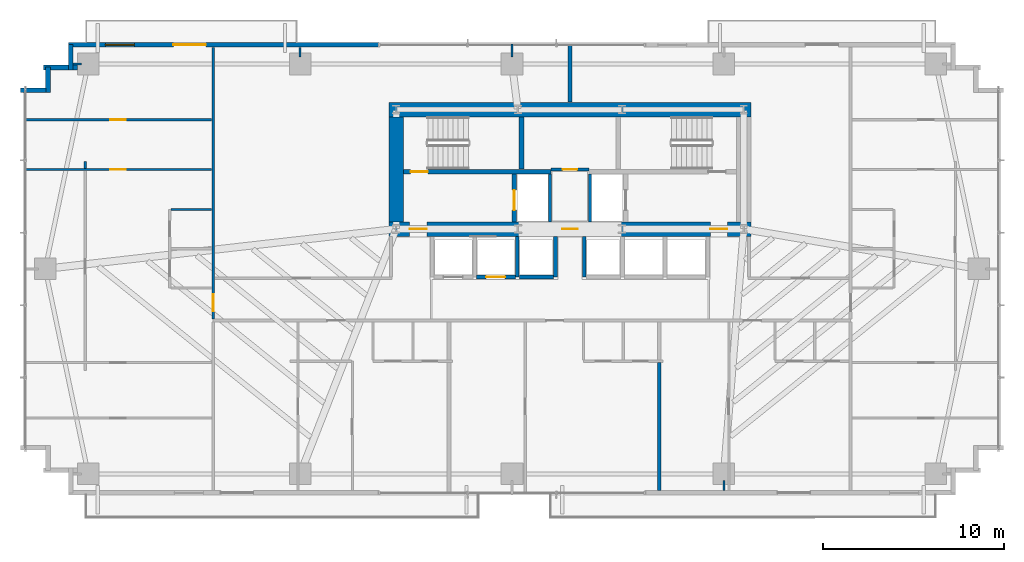
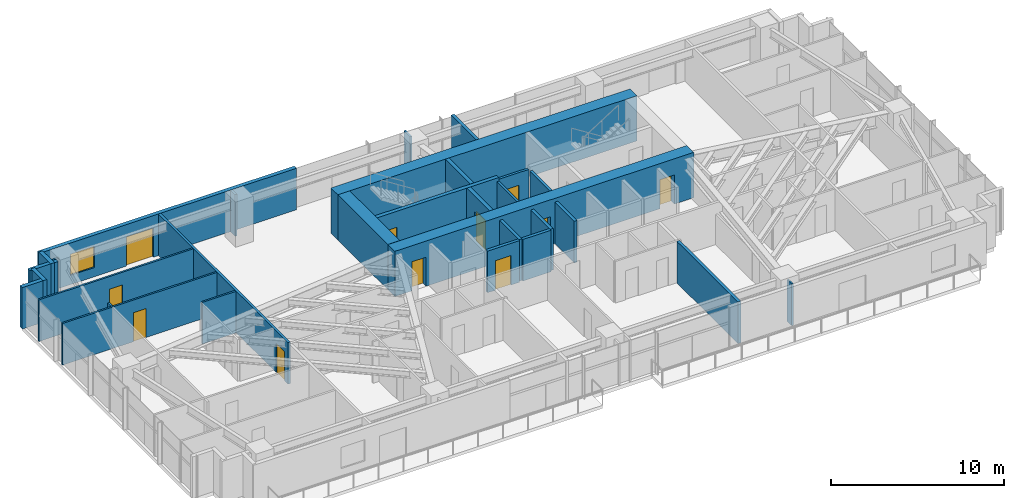
# One storey, part 20 of 25: 30 walls, 11 doors, 1 window, 12 openings.
"""IFC4 building model written with IfcOpenShell, lengths in metres."""

from ifc_helpers import new_model, si_unit, direction, frame, frame_2d, origin, place, context, subcontext, project, spatial, rectangle, extrude, source, transform, mapped, material, layer, layer_set, type_object, type_shapes, element, fill, save


model = new_model("IFC4")

# Units and contexts
model_context = context("Model", 3, precision=1e-05, world=origin(), true_north=direction((0.0, 1.0)))
body_context = subcontext(model_context, "Body", "Model", "MODEL_VIEW")
ifc_project = project(units=[si_unit("LENGTHUNIT", "METRE"), si_unit("AREAUNIT", "SQUARE_METRE"), si_unit("VOLUMEUNIT", "CUBIC_METRE"), si_unit("PLANEANGLEUNIT", "RADIAN"), si_unit("MASSUNIT", "GRAM", prefix="KILO")], contexts=[model_context])

# Site, building, storey
site_placement = place(None, origin())
site = spatial("IfcSite", under=ifc_project, at=site_placement, CompositionType="ELEMENT")
building_placement = place(site_placement, origin())
building = spatial("IfcBuilding", under=site, at=building_placement, Name="Astriad Promenade Condominiums", CompositionType="ELEMENT")
storey_placement = place(building_placement, frame((0.0, 0.0, 51.800048828125)))
storey = spatial("IfcBuildingStorey", under=building, at=storey_placement, Name="L14", CompositionType="ELEMENT", Elevation=51.800048828125)

# Wall, openings, doors
ifc_material_1 = material(Name="Concrete C80/95", Category="concrete")
ifc_layer_1 = layer(ifc_material_1, 0.800048828125)
ifc_layer_set_1 = layer_set([ifc_layer_1], Name="Concrete C80/95")
wall_type_1 = type_object("IfcWallType", Name="CW-SHEAR-800", PredefinedType="SHEAR", material=ifc_layer_set_1)
wall_1_placement = place(storey_placement, frame((26.0, 17.39990234375, 0.0), z_axis=(0.0, 0.0, 1.0), x_axis=(1.0, 0.0, 0.0)))
wall_1 = element("IfcWall", 1, at=wall_1_placement, inside=storey, type_object=wall_type_1, Name="CW-CORE-S-L14", PredefinedType="SHEAR", context=body_context, shape_type="SweptSolid", body=[
    extrude(rectangle(XDim=20.0, YDim=0.800048828125, at=frame_2d((10.0, 0.0))), origin(), (0.0, 0.0, 1.0), 3.199951171875),
])
opening_1_placement = place(wall_1_placement, frame((1.14990234375, 0.0, 0.0)))
opening_1 = element("IfcOpeningElement", 2, at=opening_1_placement, cuts=wall_1, Name="Opening FD90-ST-095", PredefinedType="OPENING", context=body_context, shape_type="SweptSolid", body=[
    extrude(rectangle(XDim=0.949951171875, YDim=2.06005859375, at=frame_2d((0.47509765625, 1.030029296875))), frame((0.0, 0.409912109375, 0.0), z_axis=(0.0, -1.0, 0.0), x_axis=(1.0, 0.0, 0.0)), (0.0, 0.0, 1.0), 0.820068359375),
])
opening_2_placement = place(wall_1_placement, frame((9.580078125, 0.0, 0.0)))
opening_2 = element("IfcOpeningElement", 3, at=opening_2_placement, cuts=wall_1, Name="Opening FD60-ULOW-085", PredefinedType="OPENING", context=body_context, shape_type="SweptSolid", body=[
    extrude(rectangle(XDim=0.85009765625, YDim=2.0, at=frame_2d((0.425048828125, 1.0))), frame((0.0, 0.409912109375, 0.0), z_axis=(0.0, -1.0, 0.0), x_axis=(1.0, 0.0, 0.0)), (0.0, 0.0, 1.0), 0.820068359375),
])
opening_3_placement = place(wall_1_placement, frame((17.75, 0.0, 0.0)))
opening_3 = element("IfcOpeningElement", 4, at=opening_3_placement, cuts=wall_1, Name="Opening FD90-ST-095", PredefinedType="OPENING", context=body_context, shape_type="SweptSolid", body=[
    extrude(rectangle(XDim=0.949951171875, YDim=2.06005859375, at=frame_2d((0.47509765625, 1.030029296875))), frame((0.0, 0.409912109375, 0.0), z_axis=(0.0, -1.0, 0.0), x_axis=(1.0, 0.0, 0.0)), (0.0, 0.0, 1.0), 0.820068359375),
])
ifc_material_2 = material(Name="Fire-Rated Hollow Metal Stair Door")
door_type_1 = type_object("IfcDoorType", Name="FD90-ST-095", OperationType="NOTDEFINED", PredefinedType="DOOR", material=ifc_material_2)
shared_shape_1 = source(origin(), body_context, "Body", "SweptSolid", [
    extrude(rectangle(XDim=0.949951171875, YDim=2.06005859375, at=frame_2d((0.47509765625, 1.030029296875))), frame((0.0, 0.02490234375, 0.0), z_axis=(0.0, -1.0, 0.0), x_axis=(1.0, 0.0, 0.0)), (0.0, 0.0, 1.0), 0.050048828125),
])
type_shapes(door_type_1, [shared_shape_1])
door_1_placement = place(opening_1_placement, origin())
door_1 = element("IfcDoor", 5, at=door_1_placement, inside=storey, type_object=door_type_1, Name="D-FFW-L14", OperationType="SINGLE_SWING_LEFT", OverallHeight=2.06005859375, OverallWidth=0.949951171875, PredefinedType="DOOR", context=body_context, shape_type="MappedRepresentation", body=[
    mapped(shared_shape_1, transform((0.0, 0.0, 0.0), scale=1.0)),
])
fill(opening_1, door_1)
door_2_placement = place(opening_3_placement, origin())
door_2 = element("IfcDoor", 6, at=door_2_placement, inside=storey, type_object=door_type_1, Name="D-FFE-L14", OperationType="SINGLE_SWING_RIGHT", OverallHeight=2.06005859375, OverallWidth=0.949951171875, PredefinedType="DOOR", context=body_context, shape_type="MappedRepresentation", body=[
    mapped(shared_shape_1, transform((0.0, 0.0, 0.0), scale=1.0)),
])
fill(opening_3, door_2)
ifc_material_3 = material(Name="Solid-Core Low-Headroom Fire Door")
door_type_2 = type_object("IfcDoorType", Name="FD60-ULOW-085", OperationType="NOTDEFINED", PredefinedType="DOOR", material=ifc_material_3)
shared_shape_2 = source(origin(), body_context, "Body", "SweptSolid", [
    extrude(rectangle(XDim=0.85009765625, YDim=2.0, at=frame_2d((0.425048828125, 1.0))), frame((0.0, 0.02490234375, 0.0), z_axis=(0.0, -1.0, 0.0), x_axis=(1.0, 0.0, 0.0)), (0.0, 0.0, 1.0), 0.050048828125),
])
type_shapes(door_type_2, [shared_shape_2])
door_3_placement = place(opening_2_placement, origin())
door_3 = element("IfcDoor", 7, at=door_3_placement, inside=storey, type_object=door_type_2, Name="D-CSL-L14", OperationType="SINGLE_SWING_RIGHT", OverallHeight=2.0, OverallWidth=0.85009765625, PredefinedType="DOOR", context=body_context, shape_type="MappedRepresentation", body=[
    mapped(shared_shape_2, transform((0.0, 0.0, 0.0), scale=1.0)),
])
fill(opening_2, door_3)

# Walls
wall_2_placement = place(storey_placement, frame((26.0, 24.0, 0.0), z_axis=(0.0, 0.0, 1.0), x_axis=(1.0, 0.0, 0.0)))
element("IfcWall", 8, at=wall_2_placement, inside=storey, type_object=wall_type_1, Name="CW-CORE-N-L14", PredefinedType="SHEAR", context=body_context, shape_type="SweptSolid", body=[
    extrude(rectangle(XDim=20.0, YDim=0.800048828125, at=frame_2d((10.0, 0.0))), origin(), (0.0, 0.0, 1.0), 3.199951171875),
])
wall_3_placement = place(storey_placement, frame((26.39990234375, 17.802001953125, 0.0), z_axis=(0.0, 0.0, 1.0), x_axis=(0.0, 1.0, 0.0)))
element("IfcWall", 9, at=wall_3_placement, inside=storey, type_object=wall_type_1, Name="CW-CORE-W-L14", PredefinedType="SHEAR", context=body_context, shape_type="SweptSolid", body=[
    extrude(rectangle(XDim=5.7958984375, YDim=0.800048828125, at=frame_2d((2.89794921875, 0.0))), origin(), (0.0, 0.0, 1.0), 3.199951171875),
])

# Wall, opening, door
ifc_material_4 = material(Name="Concrete C50/60", Category="concrete")
ifc_layer_2 = layer(ifc_material_4, 0.25)
ifc_layer_set_2 = layer_set([ifc_layer_2], Name="Concrete C50/60")
wall_type_2 = type_object("IfcWallType", Name="WALL-CORE-INT-250", PredefinedType="SOLIDWALL", material=ifc_layer_set_2)
wall_4_placement = place(storey_placement, frame((26.802001953125, 20.574951171875, 0.0), z_axis=(0.0, 0.0, 1.0), x_axis=(1.0, 0.0, 0.0)))
wall_4 = element("IfcWall", 10, at=wall_4_placement, inside=storey, type_object=wall_type_2, Name="CW-INT-H1-L14", PredefinedType="SOLIDWALL", context=body_context, shape_type="SweptSolid", body=[
    extrude(rectangle(XDim=8.14794921875, YDim=0.25, at=frame_2d((4.073974609375, 0.0))), origin(), (0.0, 0.0, 1.0), 3.199951171875),
])
opening_4_placement = place(wall_4_placement, frame((0.39794921875, 0.0, 0.0)))
opening_4 = element("IfcOpeningElement", 11, at=opening_4_placement, cuts=wall_4, Name="Opening FD90-ST-095", PredefinedType="OPENING", context=body_context, shape_type="SweptSolid", body=[
    extrude(rectangle(XDim=0.949951171875, YDim=2.06005859375, at=frame_2d((0.47509765625, 1.030029296875))), frame((0.0, 0.135009765625, 0.0), z_axis=(0.0, -1.0, 0.0), x_axis=(1.0, 0.0, 0.0)), (0.0, 0.0, 1.0), 0.27001953125),
])
door_4_placement = place(opening_4_placement, origin())
door_4 = element("IfcDoor", 12, at=door_4_placement, inside=storey, type_object=door_type_1, Name="D-ST1-L14", OperationType="SINGLE_SWING_LEFT", OverallHeight=2.06005859375, OverallWidth=0.949951171875, PredefinedType="DOOR", context=body_context, shape_type="MappedRepresentation", body=[
    mapped(shared_shape_1, transform((0.0, 0.0, 0.0), scale=1.0)),
])
fill(opening_4, door_4)

# Wall
wall_5_placement = place(storey_placement, frame((33.324951171875, 20.701904296875, 0.0), z_axis=(0.0, 0.0, 1.0), x_axis=(0.0, 1.0, 0.0)))
element("IfcWall", 13, at=wall_5_placement, inside=storey, type_object=wall_type_2, Name="CW-ST1-E-L14", PredefinedType="SOLIDWALL", context=body_context, shape_type="SweptSolid", body=[
    extrude(rectangle(XDim=2.89599609375, YDim=0.25, at=frame_2d((1.447998046875, 0.0))), origin(), (0.0, 0.0, 1.0), 3.199951171875),
])

# Wall, opening, door
wall_6_placement = place(storey_placement, frame((32.925048828125, 17.802001953125, 0.0), z_axis=(0.0, 0.0, 1.0), x_axis=(0.0, 1.0, 0.0)))
wall_6 = element("IfcWall", 14, at=wall_6_placement, inside=storey, type_object=wall_type_2, Name="CW-FFL1-W-L14", PredefinedType="SOLIDWALL", context=body_context, shape_type="SweptSolid", body=[
    extrude(rectangle(XDim=2.64599609375, YDim=0.25, at=frame_2d((1.322998046875, 0.0))), origin(), (0.0, 0.0, 1.0), 3.199951171875),
])
opening_5_placement = place(wall_6_placement, frame((0.64794921875, 0.0, 0.0)))
opening_5 = element("IfcOpeningElement", 15, at=opening_5_placement, cuts=wall_6, Name="Opening LD-FFL-1122", PredefinedType="OPENING", context=body_context, shape_type="SweptSolid", body=[
    extrude(rectangle(XDim=1.10009765625, YDim=2.080078125, at=frame_2d((0.550048828125, 1.0400390625))), frame((0.0, 0.135009765625, 0.0), z_axis=(0.0, -1.0, 0.0), x_axis=(1.0, 0.0, 0.0)), (0.0, 0.0, 1.0), 0.27001953125),
])
ifc_material_5 = material(Name="Brushed Stainless Steel Fire Elevator Landing Door", Category="steel")
door_type_3 = type_object("IfcDoorType", Name="LD-FFL-1122", OperationType="NOTDEFINED", PredefinedType="DOOR", material=ifc_material_5)
shared_shape_3 = source(origin(), body_context, "Body", "SweptSolid", [
    extrude(rectangle(XDim=1.10009765625, YDim=2.080078125, at=frame_2d((0.550048828125, 1.0400390625))), frame((0.0, 0.02490234375, 0.0), z_axis=(0.0, -1.0, 0.0), x_axis=(1.0, 0.0, 0.0)), (0.0, 0.0, 1.0), 0.050048828125),
])
type_shapes(door_type_3, [shared_shape_3])
door_5_placement = place(opening_5_placement, origin())
door_5 = element("IfcDoor", 16, at=door_5_placement, inside=storey, type_object=door_type_3, Name="Elevator Landing Door FFL-1 (L14)", OperationType="SLIDING_TO_LEFT", OverallHeight=2.080078125, OverallWidth=1.10009765625, PredefinedType="DOOR", context=body_context, shape_type="MappedRepresentation", body=[
    mapped(shared_shape_3, transform((0.0, 0.0, 0.0), scale=1.0)),
])
fill(opening_5, door_5)

# Walls
ifc_material_6 = material(Name="Fire-Rated Gypsum Partition")
ifc_layer_3 = layer(ifc_material_6, 0.159912109375)
ifc_layer_set_3 = layer_set([ifc_layer_3], Name="Fire-Rated Gypsum Partition")
wall_type_3 = type_object("IfcWallType", Name="WALL-CORR-160", PredefinedType="PARTITIONING", material=ifc_layer_set_3)
for number, where, z_axis, x_axis, name in (
    (17, (34.89990234375, 17.802001953125, 0.0), (0.0, 0.0, 1.0), (0.0, 1.0, 0.0), "CW-FFL1-E-L14"),
    (18, (37.10009765625, 17.802001953125, 0.0), (0.0, 0.0, 1.0), (0.0, 1.0, 0.0), "CW-FFL2-W-L14"),
):
    element("IfcWall", number, at=place(storey_placement, frame(where, z_axis=z_axis, x_axis=x_axis)), inside=storey, type_object=wall_type_3, Name=name, PredefinedType="PARTITIONING", context=body_context, shape_type="SweptSolid", body=[
        extrude(rectangle(XDim=2.64599609375, YDim=0.159912109375, at=frame_2d((1.322998046875, 0.0))), origin(), (0.0, 0.0, 1.0), 2.93994140625),
    ])

# Wall, opening, door
wall_7_placement = place(storey_placement, frame((34.949951171875, 20.68994140625, 0.0), z_axis=(0.0, 0.0, 1.0), x_axis=(1.0, 0.0, 0.0)))
wall_7 = element("IfcWall", 19, at=wall_7_placement, inside=storey, type_object=wall_type_3, Name="CW-AUX-S-L14", PredefinedType="PARTITIONING", context=body_context, shape_type="SweptSolid", body=[
    extrude(rectangle(XDim=2.10009765625, YDim=0.159912109375, at=frame_2d((1.050048828125, 0.0))), origin(), (0.0, 0.0, 1.0), 2.93994140625),
])
opening_6_placement = place(wall_7_placement, frame((0.64990234375, 0.0, 0.0)))
opening_6 = element("IfcOpeningElement", 20, at=opening_6_placement, cuts=wall_7, Name="Opening FD60-SV-080", PredefinedType="OPENING", context=body_context, shape_type="SweptSolid", body=[
    extrude(rectangle(XDim=0.800048828125, YDim=2.050048828125, at=frame_2d((0.39990234375, 1.02490234375))), frame((0.0, 0.08984375, 0.0), z_axis=(0.0, -1.0, 0.0), x_axis=(1.0, 0.0, 0.0)), (0.0, 0.0, 1.0), 0.179931640625),
])
ifc_material_7 = material(Name="Fire-Rated Riser Closet Door")
door_type_4 = type_object("IfcDoorType", Name="FD60-SV-080", OperationType="NOTDEFINED", PredefinedType="DOOR", material=ifc_material_7)
shared_shape_4 = source(origin(), body_context, "Body", "SweptSolid", [
    extrude(rectangle(XDim=0.800048828125, YDim=2.050048828125, at=frame_2d((0.39990234375, 1.02490234375))), frame((0.0, 0.02490234375, 0.0), z_axis=(0.0, -1.0, 0.0), x_axis=(1.0, 0.0, 0.0)), (0.0, 0.0, 1.0), 0.050048828125),
])
type_shapes(door_type_4, [shared_shape_4])
door_6_placement = place(opening_6_placement, origin())
door_6 = element("IfcDoor", 21, at=door_6_placement, inside=storey, type_object=door_type_4, Name="D-AUX1-L14", OperationType="SINGLE_SWING_LEFT", OverallHeight=2.050048828125, OverallWidth=0.800048828125, PredefinedType="DOOR", context=body_context, shape_type="MappedRepresentation", body=[
    mapped(shared_shape_4, transform((0.0, 0.0, 0.0), scale=1.0)),
])
fill(opening_6, door_6)

wall_8_placement = place(storey_placement, frame((16.300048828125, 12.431884765625, 0.0), z_axis=(0.0, 0.0, 1.0), x_axis=(0.0, 1.0, 0.0)))
wall_8 = element("IfcWall", 22, at=wall_8_placement, inside=storey, type_object=wall_type_3, Name="PT-COR-W-L14-S2", PredefinedType="PARTITIONING", context=body_context, shape_type="SweptSolid", body=[
    extrude(rectangle(XDim=15.006103515625, YDim=0.159912109375, at=frame_2d((7.5029296875, 0.0))), origin(), (0.0, 0.0, 1.0), 2.93994140625),
])
opening_7_placement = place(wall_8_placement, frame((0.428955078125, 0.0, 0.0)))
opening_7 = element("IfcOpeningElement", 23, at=opening_7_placement, cuts=wall_8, Name="Opening FD60-APT-095", PredefinedType="OPENING", context=body_context, shape_type="SweptSolid", body=[
    extrude(rectangle(XDim=0.949951171875, YDim=2.06005859375, at=frame_2d((0.47509765625, 1.030029296875))), frame((0.0, 0.08984375, 0.0), z_axis=(0.0, -1.0, 0.0), x_axis=(1.0, 0.0, 0.0)), (0.0, 0.0, 1.0), 0.179931640625),
])
ifc_material_8 = material(Name="Solid-Core Acoustic Timber Residence Entry Door", Category="wood")
door_type_5 = type_object("IfcDoorType", Name="FD60-APT-095", OperationType="NOTDEFINED", PredefinedType="DOOR", material=ifc_material_8)
shared_shape_5 = source(origin(), body_context, "Body", "SweptSolid", [
    extrude(rectangle(XDim=0.949951171875, YDim=2.06005859375, at=frame_2d((0.47509765625, 1.030029296875))), frame((0.0, 0.02490234375, 0.0), z_axis=(0.0, -1.0, 0.0), x_axis=(1.0, 0.0, 0.0)), (0.0, 0.0, 1.0), 0.050048828125),
])
type_shapes(door_type_5, [shared_shape_5])
door_7_placement = place(opening_7_placement, origin())
door_7 = element("IfcDoor", 24, at=door_7_placement, inside=storey, type_object=door_type_5, Name="D-ENT-L14-W1", OperationType="SINGLE_SWING_LEFT", OverallHeight=2.06005859375, OverallWidth=0.949951171875, PredefinedType="DOOR", context=body_context, shape_type="MappedRepresentation", body=[
    mapped(shared_shape_5, transform((0.0, 0.0, 0.0), scale=1.0)),
])
fill(opening_7, door_7)

# Walls
ifc_material_9 = material(Name="Acoustic Double-Stud Gypsum Partition")
ifc_layer_4 = layer(ifc_material_9, 0.199951171875)
ifc_layer_set_4 = layer_set([ifc_layer_4], Name="Acoustic Double-Stud Gypsum Partition")
wall_type_4 = type_object("IfcWallType", Name="WALL-DEMISING-200", PredefinedType="PARTITIONING", material=ifc_layer_set_4)
wall_9_placement = place(storey_placement, frame((36.0, 24.402099609375, 0.0), z_axis=(0.0, 0.0, 1.0), x_axis=(0.0, 1.0, 0.0)))
element("IfcWall", 25, at=wall_9_placement, inside=storey, type_object=wall_type_4, Name="PT-NC-MID-L14", PredefinedType="PARTITIONING", context=body_context, shape_type="SweptSolid", body=[
    extrude(rectangle(XDim=3.218017578125, YDim=0.199951171875, at=frame_2d((1.60888671875, 0.0))), origin(), (0.0, 0.0, 1.0), 2.93994140625),
])
wall_10_placement = place(storey_placement, frame((40.93994140625, 2.9619140625, 0.0), z_axis=(0.0, 0.0, 1.0), x_axis=(0.0, 1.0, 0.0)))
element("IfcWall", 26, at=wall_10_placement, inside=storey, type_object=wall_type_4, Name="PT-DEM-S2-L14", PredefinedType="PARTITIONING", context=body_context, shape_type="SweptSolid", body=[
    extrude(rectangle(XDim=7.076171875, YDim=0.199951171875, at=frame_2d((3.5380859375, 0.0))), origin(), (0.0, 0.0, 1.0), 2.93994140625),
])
ifc_material_10 = material(Name="Precast concrete C50/60", Category="concrete")
ifc_layer_5 = layer(ifc_material_10, 0.260009765625)
ifc_layer_set_5 = layer_set([ifc_layer_5], Name="Precast concrete C50/60")
wall_type_5 = type_object("IfcWallType", Name="WALL-EXT-TWR-260", PredefinedType="STANDARD", material=ifc_layer_set_5)
for number, where, z_axis, x_axis, name in (
    (27, (5.669921875, 25.070068359375, 0.0), (0.0, 0.0, 1.0), (1.0, 0.0, 0.0), "W-SER-L14-04"),
    (28, (7.179931640625, 24.93994140625, 0.0), (0.0, 0.0, 1.0), (0.0, 1.0, 0.0), "W-SER-L14-05"),
):
    element("IfcWall", number, at=place(storey_placement, frame(where, z_axis=z_axis, x_axis=x_axis)), inside=storey, type_object=wall_type_5, Name=name, PredefinedType="STANDARD", context=body_context, shape_type="SweptSolid", body=[
        extrude(rectangle(XDim=1.39501953125, YDim=0.260009765625, at=frame_2d((0.697509765625, 0.0))), origin(), (0.0, 0.0, 1.0), 2.93994140625),
    ])
wall_11_placement = place(storey_placement, frame((6.919921875, 26.320068359375, 0.0), z_axis=(0.0, 0.0, 1.0), x_axis=(1.0, 0.0, 0.0)))
element("IfcWall", 29, at=wall_11_placement, inside=storey, type_object=wall_type_5, Name="W-SER-L14-06", PredefinedType="STANDARD", context=body_context, shape_type="SweptSolid", body=[
    extrude(rectangle(XDim=1.878173828125, YDim=0.260009765625, at=frame_2d((0.93896484375, 0.0))), origin(), (0.0, 0.0, 1.0), 2.93994140625),
])
wall_12_placement = place(storey_placement, frame((8.429931640625, 26.18994140625, 0.0), z_axis=(0.0, 0.0, 1.0), x_axis=(0.0, 1.0, 0.0)))
element("IfcWall", 30, at=wall_12_placement, inside=storey, type_object=wall_type_5, Name="W-SER-L14-07", PredefinedType="STANDARD", context=body_context, shape_type="SweptSolid", body=[
    extrude(rectangle(XDim=1.39501953125, YDim=0.260009765625, at=frame_2d((0.697509765625, 0.0))), origin(), (0.0, 0.0, 1.0), 2.93994140625),
])

# Wall, openings, door, window
wall_13_placement = place(storey_placement, frame((8.300048828125, 27.570068359375, 0.0), z_axis=(0.0, 0.0, 1.0), x_axis=(1.0, 0.0, 0.0)))
wall_13 = element("IfcWall", 31, at=wall_13_placement, inside=storey, type_object=wall_type_5, Name="W-EXT-L14-N1", PredefinedType="STANDARD", context=body_context, shape_type="SweptSolid", body=[
    extrude(rectangle(XDim=17.14990234375, YDim=0.260009765625, at=frame_2d((8.574951171875, 0.0))), origin(), (0.0, 0.0, 1.0), 2.93994140625),
])
opening_8_placement = place(wall_13_placement, frame((5.797119140625, 0.0, 0.0)))
opening_8 = element("IfcOpeningElement", 32, at=opening_8_placement, cuts=wall_13, Name="Opening BD-1822-SLD", PredefinedType="OPENING", context=body_context, shape_type="SweptSolid", body=[
    extrude(rectangle(XDim=1.800048828125, YDim=2.06005859375, at=frame_2d((0.89990234375, 1.030029296875))), frame((0.0, 0.139892578125, 0.0), z_axis=(0.0, -1.0, 0.0), x_axis=(1.0, 0.0, 0.0)), (0.0, 0.0, 1.0), 0.280029296875),
])
opening_9_placement = place(wall_13_placement, frame((2.050048828125, 0.0, 0.64990234375)))
opening_9 = element("IfcOpeningElement", 33, at=opening_9_placement, cuts=wall_13, Name="Opening WIN-TWR-1620", PredefinedType="OPENING", context=body_context, shape_type="SweptSolid", body=[
    extrude(rectangle(XDim=1.60009765625, YDim=1.5, at=frame_2d((0.800048828125, 0.75))), frame((0.0, 0.139892578125, 0.0), z_axis=(0.0, -1.0, 0.0), x_axis=(1.0, 0.0, 0.0)), (0.0, 0.0, 1.0), 0.280029296875),
])
ifc_material_11 = material(Name="Thermally Broken Aluminium Sliding Balcony Door", Category="aluminium")
door_type_6 = type_object("IfcDoorType", Name="BD-1822-SLD", OperationType="NOTDEFINED", PredefinedType="DOOR", material=ifc_material_11)
shared_shape_6 = source(origin(), body_context, "Body", "SweptSolid", [
    extrude(rectangle(XDim=1.800048828125, YDim=2.06005859375, at=frame_2d((0.89990234375, 1.030029296875))), frame((0.0, 0.02490234375, 0.0), z_axis=(0.0, -1.0, 0.0), x_axis=(1.0, 0.0, 0.0)), (0.0, 0.0, 1.0), 0.050048828125),
])
type_shapes(door_type_6, [shared_shape_6])
door_8_placement = place(opening_8_placement, origin())
door_8 = element("IfcDoor", 34, at=door_8_placement, inside=storey, type_object=door_type_6, Name="BD-L14-NW", OperationType="SLIDING_TO_LEFT", OverallHeight=2.06005859375, OverallWidth=1.800048828125, PredefinedType="DOOR", context=body_context, shape_type="MappedRepresentation", body=[
    mapped(shared_shape_6, transform((0.0, 0.0, 0.0), scale=1.0)),
])
fill(opening_8, door_8)
ifc_material_12 = material(Name="Dark Tinted Triple-Glazed Aluminium Window", Category="aluminium")
window_type = type_object("IfcWindowType", Name="WIN-TWR-1620", PartitioningType="SINGLE_PANEL", PredefinedType="WINDOW", material=ifc_material_12)
shared_shape_7 = source(origin(), body_context, "Body", "SweptSolid", [
    extrude(rectangle(XDim=1.60009765625, YDim=1.5, at=frame_2d((0.800048828125, 0.75))), frame((0.0, 0.030029296875, 0.0), z_axis=(0.0, -1.0, 0.0), x_axis=(1.0, 0.0, 0.0)), (0.0, 0.0, 1.0), 0.06005859375),
])
type_shapes(window_type, [shared_shape_7])
window_placement = place(opening_9_placement, origin())
window = element("IfcWindow", 35, at=window_placement, inside=storey, type_object=window_type, Name="WIN-L14-NW", OverallHeight=1.5, OverallWidth=1.60009765625, PartitioningType="SINGLE_PANEL", PredefinedType="WINDOW", context=body_context, shape_type="MappedRepresentation", body=[
    mapped(shared_shape_7, transform((0.0, 0.0, 0.0), scale=1.0)),
])
fill(opening_9, window)

# Wall
ifc_material_13 = material(Name="Acoustic Metal-Stud Gypsum Partition")
ifc_layer_6 = layer(ifc_material_13, 0.1201171875)
ifc_layer_set_6 = layer_set([ifc_layer_6], Name="Acoustic Metal-Stud Gypsum Partition")
wall_type_6 = type_object("IfcWallType", Name="WALL-PART-120", PredefinedType="PARTITIONING", material=ifc_layer_set_6)
wall_14_placement = place(storey_placement, frame((13.9619140625, 18.486083984375, 0.0), z_axis=(0.0, 0.0, 1.0), x_axis=(1.0, 0.0, 0.0)))
element("IfcWall", 36, at=wall_14_placement, inside=storey, type_object=wall_type_6, Name="PT-L14-W1-PN", PredefinedType="PARTITIONING", context=body_context, shape_type="SweptSolid", body=[
    extrude(rectangle(XDim=2.256103515625, YDim=0.1201171875, at=frame_2d((1.1279296875, 0.0))), origin(), (0.0, 0.0, 1.0), 2.93994140625),
])

# Wall, opening, door
wall_15_placement = place(storey_placement, frame((5.8798828125, 23.43994140625, 0.0), z_axis=(0.0, 0.0, 1.0), x_axis=(1.0, 0.0, 0.0)))
wall_15 = element("IfcWall", 37, at=wall_15_placement, inside=storey, type_object=wall_type_6, Name="PT-L14-W1-WDN2", PredefinedType="PARTITIONING", context=body_context, shape_type="SweptSolid", body=[
    extrude(rectangle(XDim=10.338134765625, YDim=0.1201171875, at=frame_2d((5.1689453125, 0.0))), origin(), (0.0, 0.0, 1.0), 2.93994140625),
])
opening_10_placement = place(wall_15_placement, frame((4.735107421875, 0.0, 0.0)))
opening_10 = element("IfcOpeningElement", 38, at=opening_10_placement, cuts=wall_15, Name="Opening D-INT-085", PredefinedType="OPENING", context=body_context, shape_type="SweptSolid", body=[
    extrude(rectangle(XDim=0.85009765625, YDim=2.050048828125, at=frame_2d((0.425048828125, 1.02490234375))), frame((0.0, 0.070068359375, 0.0), z_axis=(0.0, -1.0, 0.0), x_axis=(1.0, 0.0, 0.0)), (0.0, 0.0, 1.0), 0.14013671875),
])
ifc_material_14 = material(Name="Painted Solid-Core Timber Room Door", Category="wood")
door_type_7 = type_object("IfcDoorType", Name="D-INT-085", OperationType="NOTDEFINED", PredefinedType="DOOR", material=ifc_material_14)
shared_shape_8 = source(origin(), body_context, "Body", "SweptSolid", [
    extrude(rectangle(XDim=0.85009765625, YDim=2.050048828125, at=frame_2d((0.425048828125, 1.02490234375))), frame((0.0, 0.02490234375, 0.0), z_axis=(0.0, -1.0, 0.0), x_axis=(1.0, 0.0, 0.0)), (0.0, 0.0, 1.0), 0.050048828125),
])
type_shapes(door_type_7, [shared_shape_8])
door_9_placement = place(opening_10_placement, origin())
door_9 = element("IfcDoor", 39, at=door_9_placement, inside=storey, type_object=door_type_7, Name="D-WDN2-L14-W1", OperationType="SINGLE_SWING_LEFT", OverallHeight=2.050048828125, OverallWidth=0.85009765625, PredefinedType="DOOR", context=body_context, shape_type="MappedRepresentation", body=[
    mapped(shared_shape_8, transform((0.0, 0.0, 0.0), scale=1.0)),
])
fill(opening_10, door_9)

wall_16_placement = place(storey_placement, frame((5.8798828125, 20.68798828125, 0.0), z_axis=(0.0, 0.0, 1.0), x_axis=(1.0, 0.0, 0.0)))
wall_16 = element("IfcWall", 40, at=wall_16_placement, inside=storey, type_object=wall_type_6, Name="PT-L14-W1-WDN4", PredefinedType="PARTITIONING", context=body_context, shape_type="SweptSolid", body=[
    extrude(rectangle(XDim=10.338134765625, YDim=0.1201171875, at=frame_2d((5.1689453125, 0.0))), origin(), (0.0, 0.0, 1.0), 2.93994140625),
])
opening_11_placement = place(wall_16_placement, frame((4.735107421875, 0.0, 0.0)))
opening_11 = element("IfcOpeningElement", 41, at=opening_11_placement, cuts=wall_16, Name="Opening D-INT-085", PredefinedType="OPENING", context=body_context, shape_type="SweptSolid", body=[
    extrude(rectangle(XDim=0.85009765625, YDim=2.050048828125, at=frame_2d((0.425048828125, 1.02490234375))), frame((0.0, 0.070068359375, 0.0), z_axis=(0.0, -1.0, 0.0), x_axis=(1.0, 0.0, 0.0)), (0.0, 0.0, 1.0), 0.14013671875),
])
door_10_placement = place(opening_11_placement, origin())
door_10 = element("IfcDoor", 42, at=door_10_placement, inside=storey, type_object=door_type_7, Name="D-WDN4-L14-W1", OperationType="SINGLE_SWING_LEFT", OverallHeight=2.050048828125, OverallWidth=0.85009765625, PredefinedType="DOOR", context=body_context, shape_type="MappedRepresentation", body=[
    mapped(shared_shape_8, transform((0.0, 0.0, 0.0), scale=1.0)),
])
fill(opening_11, door_10)

# Walls
wall_17_placement = place(storey_placement, frame((9.237060546875, 20.75, 0.0), z_axis=(0.0, 0.0, 1.0), x_axis=(0.0, 1.0, 0.0)))
element("IfcWall", 43, at=wall_17_placement, inside=storey, type_object=wall_type_6, Name="PT-L14-W1-WDV5-S3", PredefinedType="PARTITIONING", context=body_context, shape_type="SweptSolid", body=[
    extrude(rectangle(XDim=0.3779296875, YDim=0.1201171875, at=frame_2d((0.18896484375, 0.0))), origin(), (0.0, 0.0, 1.0), 2.93994140625),
])
wall_18_placement = place(storey_placement, frame((44.5, 3.5, 0.0), z_axis=(0.0, 0.0, 1.0), x_axis=(0.0, -1.0, 0.0)))
element("IfcWall", 44, at=wall_18_placement, inside=storey, type_object=wall_type_6, Name="PT-PIL-L14-PC04-11", PredefinedType="PARTITIONING", context=body_context, shape_type="SweptSolid", body=[
    extrude(rectangle(XDim=0.5380859375, YDim=0.1201171875, at=frame_2d((0.26904296875, 0.0))), origin(), (0.0, 0.0, 1.0), 2.93994140625),
])
wall_19_placement = place(storey_placement, frame((9.02001953125, 26.52001953125, 0.0), z_axis=(0.0, 0.0, 1.0), x_axis=(-1.0, 0.0, 0.0)))
element("IfcWall", 45, at=wall_19_placement, inside=storey, type_object=wall_type_6, Name="PT-PIL-L14-PC06-13", PredefinedType="PARTITIONING", context=body_context, shape_type="SweptSolid", body=[
    extrude(rectangle(XDim=0.4580078125, YDim=0.1201171875, at=frame_2d((0.22900390625, 0.0))), origin(), (0.0, 0.0, 1.0), 2.93994140625),
])
wall_20_placement = place(storey_placement, frame((21.10009765625, 26.89990234375, 0.0), z_axis=(0.0, 0.0, 1.0), x_axis=(0.0, 1.0, 0.0)))
element("IfcWall", 46, at=wall_20_placement, inside=storey, type_object=wall_type_6, Name="PT-PIL-L14-PC07-14", PredefinedType="PARTITIONING", context=body_context, shape_type="SweptSolid", body=[
    extrude(rectangle(XDim=0.5380859375, YDim=0.1201171875, at=frame_2d((0.26904296875, 0.0))), origin(), (0.0, 0.0, 1.0), 2.93994140625),
])
wall_21_placement = place(storey_placement, frame((32.800048828125, 26.89990234375, 0.0), z_axis=(0.0, 0.0, 1.0), x_axis=(0.0, 1.0, 0.0)))
element("IfcWall", 47, at=wall_21_placement, inside=storey, type_object=wall_type_6, Name="PT-PIL-L14-PC08-15", PredefinedType="PARTITIONING", context=body_context, shape_type="SweptSolid", body=[
    extrude(rectangle(XDim=0.72021484375, YDim=0.1201171875, at=frame_2d((0.360107421875, 0.0))), origin(), (0.0, 0.0, 1.0), 2.93994140625),
])
ifc_material_15 = material(Name="Gypsum Shaftliner Assembly")
ifc_layer_7 = layer(ifc_material_15, 0.199951171875)
ifc_layer_set_7 = layer_set([ifc_layer_7], Name="Gypsum Shaftliner Assembly")
wall_type_7 = type_object("IfcWallType", Name="WALL-SHAFT-200", PredefinedType="PARTITIONING", material=ifc_layer_set_7)
wall_22_placement = place(storey_placement, frame((33.10009765625, 14.75, 0.0), z_axis=(0.0, 0.0, 1.0), x_axis=(0.0, 1.0, 0.0)))
element("IfcWall", 48, at=wall_22_placement, inside=storey, type_object=wall_type_7, Name="PL-LM-DIV-L14", PredefinedType="PARTITIONING", context=body_context, shape_type="SweptSolid", body=[
    extrude(rectangle(XDim=2.248046875, YDim=0.199951171875, at=frame_2d((1.1240234375, 0.0))), origin(), (0.0, 0.0, 1.0), 2.93994140625),
])

# Wall, opening, door
wall_23_placement = place(storey_placement, frame((30.85205078125, 14.75, 0.0), z_axis=(0.0, 0.0, 1.0), x_axis=(1.0, 0.0, 0.0)))
wall_23 = element("IfcWall", 49, at=wall_23_placement, inside=storey, type_object=wall_type_7, Name="PL-L-FRT-L14-S2", PredefinedType="PARTITIONING", context=body_context, shape_type="SweptSolid", body=[
    extrude(rectangle(XDim=2.14599609375, YDim=0.199951171875, at=frame_2d((1.072998046875, 0.0))), origin(), (0.0, 0.0, 1.0), 2.93994140625),
])
opening_12_placement = place(wall_23_placement, frame((0.52294921875, 0.0, 0.0)))
opening_12 = element("IfcOpeningElement", 50, at=opening_12_placement, cuts=wall_23, Name="Opening LD-PL-10522", PredefinedType="OPENING", context=body_context, shape_type="SweptSolid", body=[
    extrude(rectangle(XDim=1.050048828125, YDim=2.080078125, at=frame_2d((0.52490234375, 1.0400390625))), frame((0.0, 0.10986328125, 0.0), z_axis=(0.0, -1.0, 0.0), x_axis=(1.0, 0.0, 0.0)), (0.0, 0.0, 1.0), 0.219970703125),
])
ifc_material_16 = material(Name="Brushed Bronze Passenger Elevator Landing Door")
door_type_8 = type_object("IfcDoorType", Name="LD-PL-10522", OperationType="NOTDEFINED", PredefinedType="DOOR", material=ifc_material_16)
shared_shape_9 = source(origin(), body_context, "Body", "SweptSolid", [
    extrude(rectangle(XDim=1.050048828125, YDim=2.080078125, at=frame_2d((0.52490234375, 1.0400390625))), frame((0.0, 0.02490234375, 0.0), z_axis=(0.0, -1.0, 0.0), x_axis=(1.0, 0.0, 0.0)), (0.0, 0.0, 1.0), 0.050048828125),
])
type_shapes(door_type_8, [shared_shape_9])
door_11_placement = place(opening_12_placement, origin())
door_11 = element("IfcDoor", 51, at=door_11_placement, inside=storey, type_object=door_type_8, Name="Elevator Landing Door PL-L2 (L14)", OperationType="SLIDING_TO_RIGHT", OverallHeight=2.080078125, OverallWidth=1.050048828125, PredefinedType="DOOR", context=body_context, shape_type="MappedRepresentation", body=[
    mapped(shared_shape_9, transform((0.0, 0.0, 0.0), scale=1.0)),
])
fill(opening_12, door_11)

# Walls
wall_24_placement = place(storey_placement, frame((35.199951171875, 14.75, 0.0), z_axis=(0.0, 0.0, 1.0), x_axis=(0.0, 1.0, 0.0)))
element("IfcWall", 52, at=wall_24_placement, inside=storey, type_object=wall_type_7, Name="PL-M1-E-L14", PredefinedType="PARTITIONING", context=body_context, shape_type="SweptSolid", body=[
    extrude(rectangle(XDim=2.248046875, YDim=0.199951171875, at=frame_2d((1.1240234375, 0.0))), origin(), (0.0, 0.0, 1.0), 2.93994140625),
])
wall_25_placement = place(storey_placement, frame((33.201904296875, 14.75, 0.0), z_axis=(0.0, 0.0, 1.0), x_axis=(1.0, 0.0, 0.0)))
element("IfcWall", 53, at=wall_25_placement, inside=storey, type_object=wall_type_7, Name="PL-M1-F-L14", PredefinedType="PARTITIONING", context=body_context, shape_type="SweptSolid", body=[
    extrude(rectangle(XDim=1.89599609375, YDim=0.199951171875, at=frame_2d((0.947998046875, 0.0))), origin(), (0.0, 0.0, 1.0), 2.93994140625),
])
wall_26_placement = place(storey_placement, frame((36.800048828125, 14.75, 0.0), z_axis=(0.0, 0.0, 1.0), x_axis=(0.0, 1.0, 0.0)))
element("IfcWall", 54, at=wall_26_placement, inside=storey, type_object=wall_type_7, Name="PL-M2-W-L14", PredefinedType="PARTITIONING", context=body_context, shape_type="SweptSolid", body=[
    extrude(rectangle(XDim=2.248046875, YDim=0.199951171875, at=frame_2d((1.1240234375, 0.0))), origin(), (0.0, 0.0, 1.0), 2.93994140625),
])

save(model, "model.ifc")
